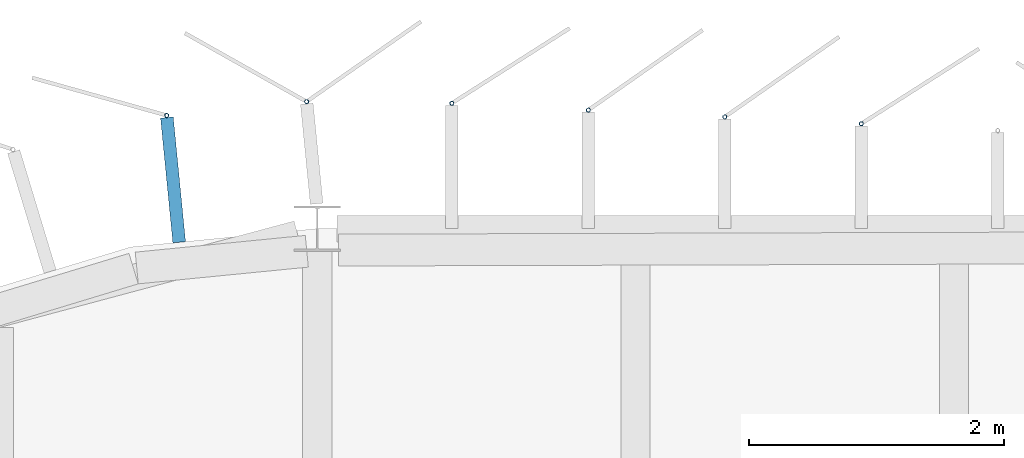
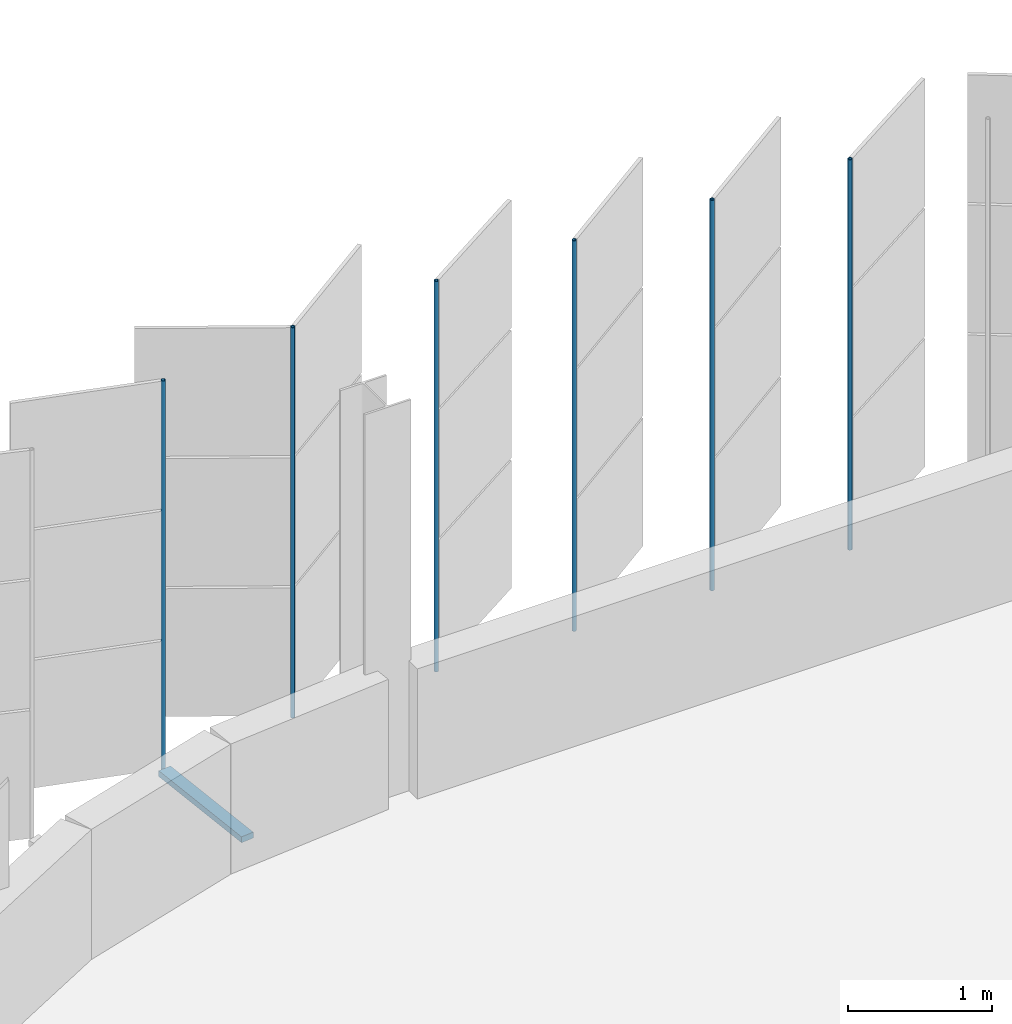
# One storey, part 147 of 214: 7 discrete accessories.
"""IFC4 building model written with IfcOpenShell, lengths in metres."""

from ifc_helpers import new_model, si_unit, direction, frame, origin, origin_2d, place, context, subcontext, project, spatial, rectangle, hollow_circle, extrude, material, material_profile, profile_set, type_object, element, save


model = new_model("IFC4")

# Units and contexts
model_context = context("Model", 3, precision=1e-05, world=origin(), true_north=direction((0.0, 1.0)))
body_context = subcontext(model_context, "Body", "Model", "MODEL_VIEW")
ifc_project = project(units=[si_unit("LENGTHUNIT", "METRE"), si_unit("AREAUNIT", "SQUARE_METRE"), si_unit("VOLUMEUNIT", "CUBIC_METRE"), si_unit("PLANEANGLEUNIT", "RADIAN"), si_unit("MASSUNIT", "GRAM", prefix="KILO")], contexts=[model_context])

# Site, building, storey
site_placement = place(None, origin())
site = spatial("IfcSite", under=ifc_project, at=site_placement, CompositionType="ELEMENT")
building_placement = place(site_placement, origin())
building = spatial("IfcBuilding", under=site, at=building_placement, Name="Parallax Yard Mobility Hub", CompositionType="ELEMENT")
storey_placement = place(building_placement, frame((0.0, 0.0, 3.300048828125)))
storey = spatial("IfcBuildingStorey", under=building, at=storey_placement, Name="L01", CompositionType="ELEMENT", Elevation=3.300048828125)

# Discrete accessories
ifc_material_1 = material(Name="Steel ASTM A36, hot-dip galvanised", Category="steel")
discrete_accessory_type_1 = type_object("IfcDiscreteAccessoryType", Name="Hinge bracket plate 100x50", PredefinedType="BRACKET", material=ifc_material_1)
discrete_accessory_placement = place(storey_placement, frame((28.867919921875, 142.88232421875, -0.02490234375), z_axis=(0.0, 0.0, 1.0), x_axis=(-0.09801714033, 0.995184726672, 0.0)))
element("IfcDiscreteAccessory", 1, at=discrete_accessory_placement, inside=storey, type_object=discrete_accessory_type_1, Name="Hinge bracket plate bay 70.2 level L01", PredefinedType="BRACKET", context=body_context, shape_type="SweptSolid", body=[
    extrude(rectangle(XDim=0.984130859375, YDim=0.10009765625, at=origin_2d()), origin(), (0.0, 0.0, 1.0), 0.050048828125),
])
ifc_material_2 = material(Name="Steel ASTM A500 Gr C, hot-dip galvanised", Category="steel")
ifc_material_profile = material_profile(ifc_material_2, hollow_circle(Radius=0.016845703125, WallThickness=0.003173828125, at=origin_2d()), Name="CHS 33.7x3.2")
ifc_profile_set = profile_set([ifc_material_profile], Name="Steel ASTM A500 Gr C, hot-dip galvanised")
discrete_accessory_type_2 = type_object("IfcDiscreteAccessoryType", Name="Hinge post CHS 33.7x3.2", PredefinedType="BRACKET", material=ifc_profile_set)
for number, where, z_axis, x_axis, name in (
    (2, (34.271240234375, 143.3232421875, 0.0), (0.0, 0.0, 1.0), (1.0, 0.0, 0.0), "Hinge post bay 69.4 level L01"),
    (3, (33.19970703125, 143.376708984375, 0.0), (0.0, 0.0, 1.0), (1.0, 0.0, 0.0), "Hinge post bay 69.5 level L01"),
    (4, (32.128173828125, 143.430419921875, 0.0), (0.0, 0.0, 1.0), (1.0, 0.0, 0.0), "Hinge post bay 69.6 level L01"),
    (5, (31.056396484375, 143.48388671875, 0.0), (0.0, 0.0, 1.0), (1.0, 0.0, 0.0), "Hinge post bay 69.7 level L01"),
    (6, (29.91650390625, 143.49658203125, 0.0), (0.0, 0.0, 1.0), (1.0, 0.0, 0.0), "Hinge post bay 70.1 level L01"),
    (7, (28.818115234375, 143.388427734375, 0.0), (0.0, 0.0, 1.0), (1.0, 0.0, 0.0), "Hinge post bay 70.2 level L01"),
):
    element("IfcDiscreteAccessory", number, at=place(storey_placement, frame(where, z_axis=z_axis, x_axis=x_axis)), inside=storey, type_object=discrete_accessory_type_2, Name=name, PredefinedType="BRACKET", context=body_context, shape_type="SweptSolid", body=[
        extrude(hollow_circle(Radius=0.016845703125, WallThickness=0.003173828125, at=origin_2d()), origin(), (0.0, 0.0, 1.0), 3.300048828125),
    ])

save(model, "model.ifc")
